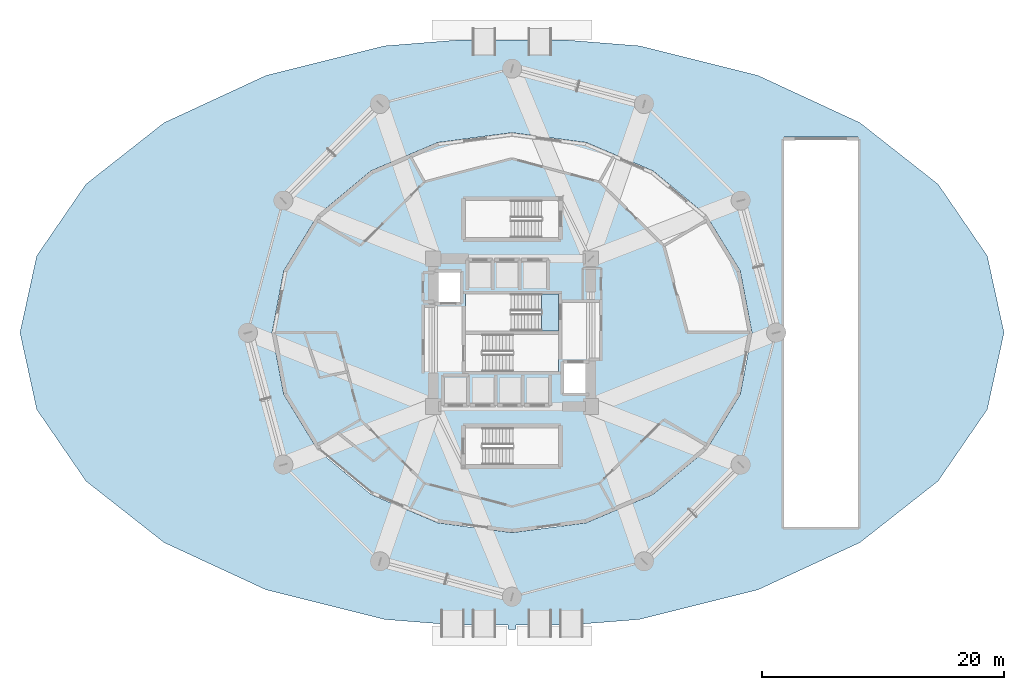
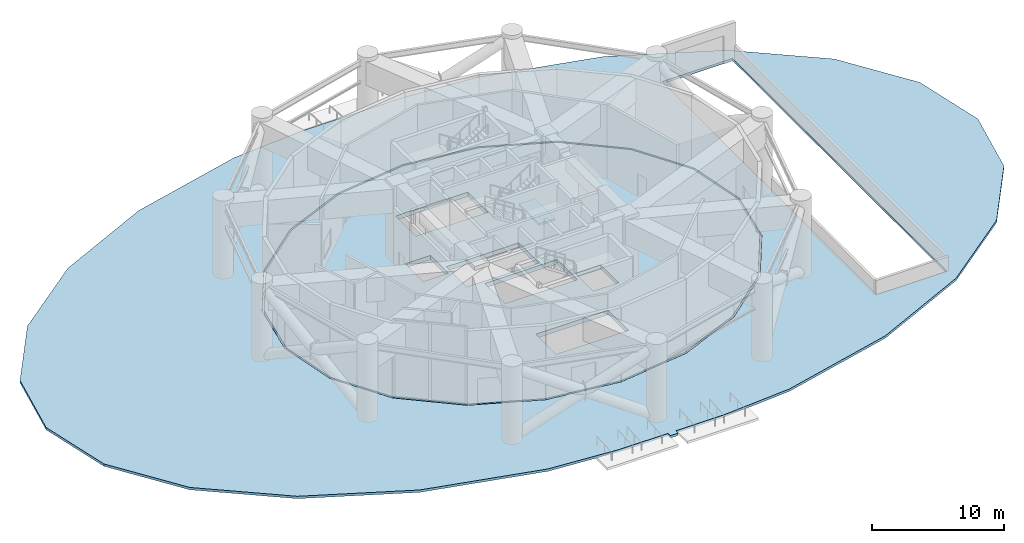
# One storey, part 7 of 16: 3 slabs, 1 element without a shape of its own.
"""IFC4 building model written with IfcOpenShell, lengths in metres."""

from ifc_helpers import new_model, si_unit, direction, frame, origin, place, context, subcontext, project, spatial, polyline, outline, extrude, material, layer, layer_set, type_object, element, aggregate, save


model = new_model("IFC4")

# Units and contexts
model_context = context("Model", 3, precision=1e-05, world=origin(), true_north=direction((0.0, 1.0)))
body_context = subcontext(model_context, "Body", "Model", "MODEL_VIEW")
ifc_project = project(units=[si_unit("LENGTHUNIT", "METRE"), si_unit("AREAUNIT", "SQUARE_METRE"), si_unit("VOLUMEUNIT", "CUBIC_METRE"), si_unit("PLANEANGLEUNIT", "RADIAN"), si_unit("MASSUNIT", "GRAM", prefix="KILO")], contexts=[model_context])

# Site, building, storey
site_placement = place(None, origin())
site = spatial("IfcSite", under=ifc_project, at=site_placement, CompositionType="ELEMENT")
building_placement = place(site_placement, origin())
building = spatial("IfcBuilding", under=site, at=building_placement, Name="Solvirekh Grand Hotel", CompositionType="ELEMENT")
storey_placement = place(building_placement, origin())
storey = spatial("IfcBuildingStorey", under=building, at=storey_placement, Name="L00", CompositionType="ELEMENT", Elevation=0.0)

# Slab
ifc_material_1 = material(Name="Granite Stone Cladding", Category="masonry")
ifc_layer_1 = layer(ifc_material_1, 0.219970703125)
ifc_layer_set_1 = layer_set([ifc_layer_1], Name="Granite Stone Cladding")
slab_type_1 = type_object("IfcSlabType", Name="ExtPlazaPaving_220", PredefinedType="USERDEFINED", material=ifc_layer_set_1)
slab_1_placement = place(storey_placement, frame((0.0, 0.0, -0.219970703125)))
element("IfcSlab", 1, at=slab_1_placement, inside=storey, type_object=slab_type_1, Name="L00 open-stilt public arrival plaza and step-free hotel drop-off paving", ObjectType="PAVING", PredefinedType="USERDEFINED", context=body_context, shape_type="SweptSolid", body=[
    extrude(outline(polyline([(-20.300048828125, -21.218017578125), (-10.508056640625, -23.6650390625), (-4.530029296875, -24.139892578125), (-0.340087890625, -24.139892578125), (-0.340087890625, -24.472900390625), (0.0, -24.5), (0.340087890625, -24.472900390625), (0.340087890625, -24.139892578125), (4.530029296875, -24.139892578125), (10.508056640625, -23.6650390625), (20.300048828125, -21.218017578125), (28.708984375, -17.323974609375), (35.160888671875, -12.25), (39.217041015625, -6.341064453125), (40.60009765625, 0.0), (39.217041015625, 6.341064453125), (35.160888671875, 12.25), (28.708984375, 17.323974609375), (20.300048828125, 21.218017578125), (10.508056640625, 23.6650390625), (4.530029296875, 24.139892578125), (-4.530029296875, 24.139892578125), (-10.508056640625, 23.6650390625), (-20.300048828125, 21.218017578125), (-28.708984375, 17.323974609375), (-35.160888671875, 12.25), (-39.217041015625, 6.341064453125), (-40.60009765625, 0.0), (-39.217041015625, -6.341064453125), (-35.160888671875, -12.25), (-28.708984375, -17.323974609375), (-20.300048828125, -21.218017578125)]), holes=[polyline([(18.8310546875, -5.09912109375), (16.01904296875, -9.697998046875), (11.637939453125, -13.34912109375), (6.118896484375, -15.69189453125), (0.0, -16.5), (-6.118896484375, -15.69189453125), (-11.637939453125, -13.34912109375), (-16.01904296875, -9.697998046875), (-18.8310546875, -5.09912109375), (-19.800048828125, 0.0), (-18.8310546875, 5.09912109375), (-16.01904296875, 9.697998046875), (-11.637939453125, 13.34912109375), (-6.118896484375, 15.69189453125), (0.0, 16.5), (6.118896484375, 15.69189453125), (11.637939453125, 13.34912109375), (16.01904296875, 9.697998046875), (18.8310546875, 5.09912109375), (19.800048828125, 0.0), (18.8310546875, -5.09912109375)]), polyline([(22.43994140625, 16.159912109375), (28.56005859375, 16.159912109375), (28.56005859375, -16.159912109375), (22.43994140625, -16.159912109375), (22.43994140625, 16.159912109375)])]), origin(), (0.0, 0.0, 1.0), 0.219970703125),
])

# Stair, slab
ifc_material_2 = material(Name="Concrete C40/50", Category="concrete")
stair_type = type_object("IfcStairType", Name="Stair_Core_1450", PredefinedType="HALF_TURN_STAIR", material=ifc_material_2)
stair_placement = place(storey_placement, origin())
stair = element("IfcStair", 2, at=stair_placement, inside=storey, type_object=stair_type, Name="L00 Enclosed exit stair ST-2", PredefinedType="HALF_TURN_STAIR")
ifc_layer_2 = layer(ifc_material_2, 0.199951171875)
ifc_layer_set_2 = layer_set([ifc_layer_2], Name="Concrete C40/50")
slab_type_2 = type_object("IfcSlabType", Name="Landing_Stair_200", PredefinedType="LANDING", material=ifc_layer_set_2)
slab_2_placement = place(storey_placement, frame((0.0, 0.0, 3.39990234375)))
slab_2 = element("IfcSlab", 3, at=slab_2_placement, type_object=slab_type_2, Name="ST-2 landing 2", PredefinedType="LANDING", context=body_context, shape_type="SweptSolid", body=[
    extrude(outline(polyline([(3.85009765625, 3.199951171875), (2.449951171875, 3.199951171875), (2.449951171875, 0.14990234375), (3.85009765625, 0.14990234375), (3.85009765625, 3.199951171875)])), origin(), (0.0, 0.0, 1.0), 0.2001953125),
])
aggregate(stair, [slab_2])

# Slab
ifc_material_3 = material(Name="Concrete C50/60", Category="concrete")
ifc_layer_3 = layer(ifc_material_3, 0.405029296875)
ifc_layer_set_3 = layer_set([ifc_layer_3], Name="Concrete C50/60")
slab_type_3 = type_object("IfcSlabType", Name="Slab_Ground_380", PredefinedType="FLOOR", material=ifc_layer_set_3)
slab_3_placement = place(storey_placement, frame((0.0, 0.0, -0.405029296875)))
element("IfcSlab", 4, at=slab_3_placement, inside=storey, type_object=slab_type_3, Name="L00 structural floor slab", PredefinedType="FLOOR", context=body_context, shape_type="SweptSolid", body=[
    extrude(outline(polyline([(19.64990234375, 0.0), (18.68798828125, 5.052001953125), (15.89697265625, 9.610107421875), (11.550048828125, 13.22705078125), (6.072021484375, 15.550048828125), (0.0, 16.35009765625), (-6.072021484375, 15.550048828125), (-11.550048828125, 13.22705078125), (-15.89697265625, 9.610107421875), (-18.68798828125, 5.052001953125), (-19.64990234375, 0.0), (-18.68798828125, -5.052001953125), (-15.89697265625, -9.610107421875), (-11.550048828125, -13.22705078125), (-6.072021484375, -15.550048828125), (0.0, -16.35009765625), (6.072021484375, -15.550048828125), (11.550048828125, -13.22705078125), (15.89697265625, -9.610107421875), (18.68798828125, -5.052001953125), (19.64990234375, 0.0)]), holes=[polyline([(-2.444091796875, -0.14990234375), (3.85009765625, -0.14990234375), (3.85009765625, -3.199951171875), (-2.444091796875, -3.199951171875), (-2.444091796875, -0.14990234375)]), polyline([(2.444091796875, 0.14990234375), (-3.85009765625, 0.14990234375), (-3.85009765625, 3.199951171875), (2.444091796875, 3.199951171875), (2.444091796875, 0.14990234375)]), polyline([(-2.444091796875, -7.85009765625), (3.85009765625, -7.85009765625), (3.85009765625, -10.89990234375), (-2.444091796875, -10.89990234375), (-2.444091796875, -7.85009765625)]), polyline([(2.444091796875, 7.85009765625), (-3.85009765625, 7.85009765625), (-3.85009765625, 10.89990234375), (2.444091796875, 10.89990234375), (2.444091796875, 7.85009765625)]), polyline([(-6.35009765625, 5.10009765625), (-4.14990234375, 5.10009765625), (-4.14990234375, 2.39990234375), (-6.35009765625, 2.39990234375), (-6.35009765625, 5.10009765625)]), polyline([(4.14990234375, -2.39990234375), (6.35009765625, -2.39990234375), (6.35009765625, -5.10009765625), (4.14990234375, -5.10009765625), (4.14990234375, -2.39990234375)])]), origin(), (0.0, 0.0, 1.0), 0.405029296875),
])

save(model, "model.ifc")
